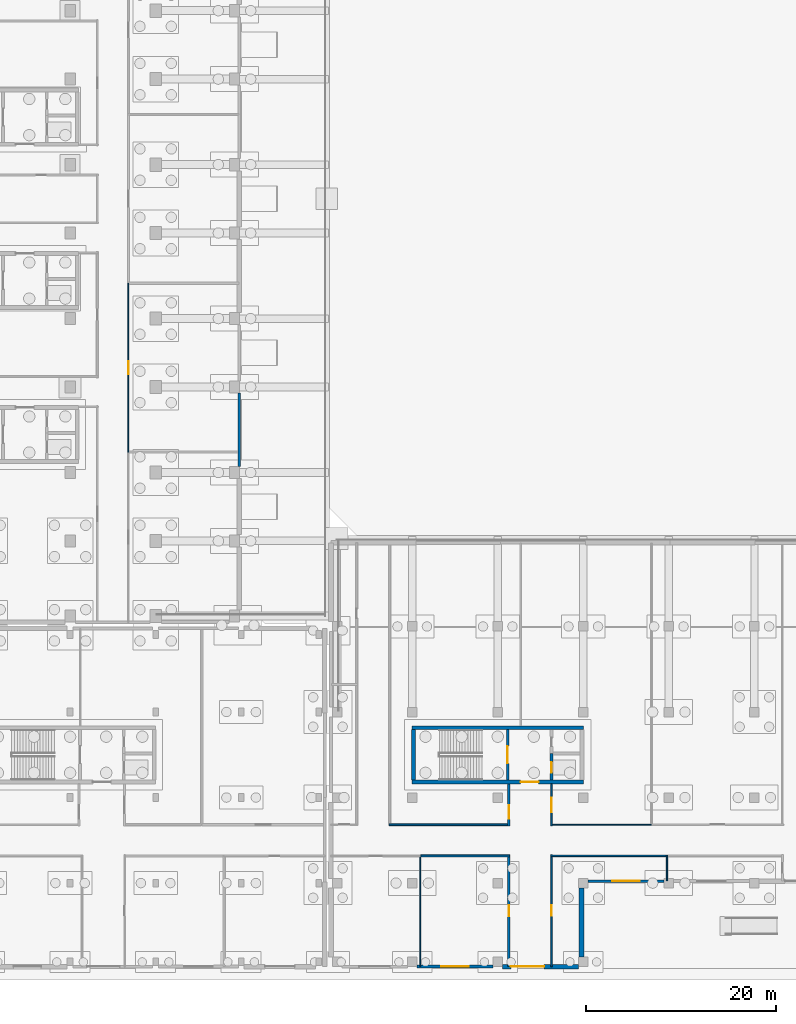
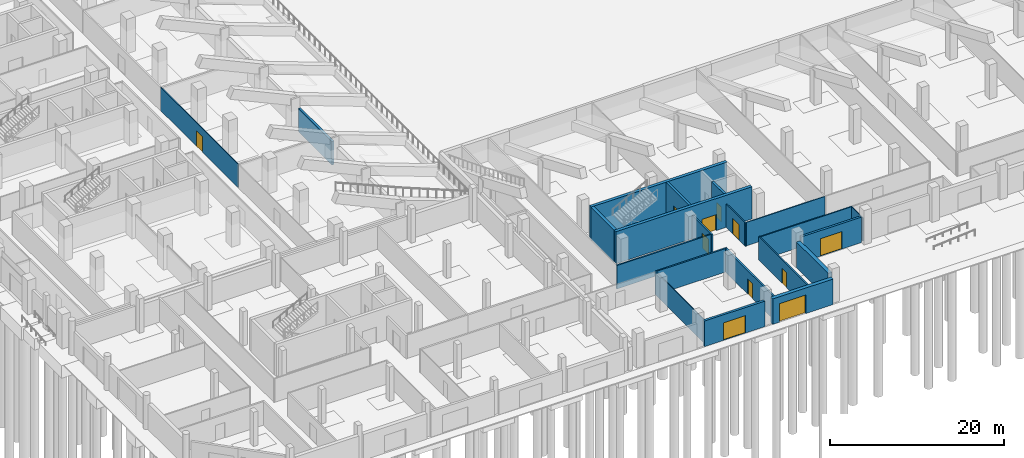
# One storey, part 16 of 53: 21 walls, 11 doors, 11 openings.
"""IFC4 building model written with IfcOpenShell, lengths in metres."""

from ifc_helpers import new_model, si_unit, direction, frame, frame_2d, origin, place, context, subcontext, project, spatial, rectangle, extrude, material, layer, layer_set, type_object, element, fill, save


model = new_model("IFC4")

# Units and contexts
model_context = context("Model", 3, precision=1e-05, world=origin(), true_north=direction((0.0, 1.0)))
body_context = subcontext(model_context, "Body", "Model", "MODEL_VIEW")
ifc_project = project(units=[si_unit("LENGTHUNIT", "METRE"), si_unit("AREAUNIT", "SQUARE_METRE"), si_unit("VOLUMEUNIT", "CUBIC_METRE"), si_unit("PLANEANGLEUNIT", "RADIAN"), si_unit("MASSUNIT", "GRAM", prefix="KILO"), si_unit("THERMODYNAMICTEMPERATUREUNIT", "KELVIN"), si_unit("POWERUNIT", "WATT")], contexts=[model_context])

# Site, building, storey
site_placement = place(None, origin())
site = spatial("IfcSite", under=ifc_project, at=site_placement, CompositionType="ELEMENT")
building_placement = place(site_placement, origin())
building = spatial("IfcBuilding", under=site, at=building_placement, Name="Sindhuravela Promenade Stadium", CompositionType="ELEMENT")
storey_placement = place(building_placement, origin())
storey = spatial("IfcBuildingStorey", under=building, at=storey_placement, Name="L00", CompositionType="ELEMENT", Elevation=0.0)

# Wall
ifc_material_1 = material(Name="Dholpur sandstone ashlar (45 MPa)", Category="masonry")
ifc_layer_1 = layer(ifc_material_1, 0.2900390625)
ifc_layer_set_1 = layer_set([ifc_layer_1], Name="Dholpur sandstone ashlar (45 MPa)")
wall_type_1 = type_object("IfcWallType", Name="EX-WL-SND290", PredefinedType="SOLIDWALL", material=ifc_layer_set_1)
wall_1_placement = place(storey_placement, frame((44.800048828125, 60.544921875, 0.0), z_axis=(0.0, 0.0, 1.0), x_axis=(0.0, -1.0, 0.0)))
element("IfcWall", 1, at=wall_1_placement, inside=storey, type_object=wall_type_1, Name="Exterior masonry wall EW10 WEST L00", PredefinedType="SOLIDWALL", context=body_context, shape_type="SweptSolid", body=[
    extrude(rectangle(XDim=7.68994140625, YDim=0.2900390625, at=frame_2d((3.844970703125, 0.0))), origin(), (0.0, 0.0, 1.0), 3.280029296875),
])

# Wall, opening, door
wall_2_placement = place(storey_placement, frame((89.4951171875, 9.199951171875, 0.0), z_axis=(0.0, 0.0, 1.0), x_axis=(-1.0, 0.0, 0.0)))
wall_2 = element("IfcWall", 2, at=wall_2_placement, inside=storey, type_object=wall_type_1, Name="Exterior masonry wall EW10 SOUTH L00", PredefinedType="SOLIDWALL", context=body_context, shape_type="SweptSolid", body=[
    extrude(rectangle(XDim=7.990234375, YDim=0.2900390625, at=frame_2d((3.9951171875, 0.0))), origin(), (0.0, 0.0, 1.0), 3.580078125),
])
opening_1_placement = place(wall_2_placement, frame((2.544921875, 0.0, 0.0)))
opening_1 = element("IfcOpeningElement", 3, at=opening_1_placement, cuts=wall_2, Name="Opening G08", PredefinedType="OPENING", context=body_context, shape_type="SweptSolid", body=[
    extrude(rectangle(XDim=2.89990234375, YDim=2.449951171875, at=frame_2d((1.449951171875, 1.22509765625))), frame((0.0, 0.155029296875, 0.0), z_axis=(0.0, -1.0, 0.0), x_axis=(1.0, 0.0, 0.0)), (0.0, 0.0, 1.0), 0.31005859375),
])
ifc_material_2 = material(Name="Anodised architectural aluminium 6063-T6", Category="aluminium")
door_type_1 = type_object("IfcDoorType", Name="DR-EXIT-2900x2450", OperationType="DOUBLE_DOOR_SINGLE_SWING", PredefinedType="DOOR", material=ifc_material_2)
door_1_placement = place(opening_1_placement, origin())
door_1 = element("IfcDoor", 4, at=door_1_placement, inside=storey, type_object=door_type_1, Name="Gate exit door G08", OperationType="DOUBLE_DOOR_SINGLE_SWING", OverallHeight=2.449951171875, OverallWidth=2.89990234375, PredefinedType="DOOR", context=body_context, shape_type="SweptSolid", body=[
    extrude(rectangle(XDim=2.89990234375, YDim=2.449951171875, at=frame_2d((1.449951171875, 1.22509765625))), frame((0.0, 0.02490234375, 0.0), z_axis=(0.0, -1.0, 0.0), x_axis=(1.0, 0.0, 0.0)), (0.0, 0.0, 1.0), 0.050048828125),
])
fill(opening_1, door_1)

ifc_layer_2 = layer(ifc_material_1, 0.31005859375)
ifc_layer_set_2 = layer_set([ifc_layer_2], Name="Dholpur sandstone ashlar (45 MPa)")
wall_type_2 = type_object("IfcWallType", Name="EX-WL-SND310", PredefinedType="SOLIDWALL", material=ifc_layer_set_2)
wall_3_placement = place(storey_placement, frame((71.4951171875, 0.199951171875, 0.0), z_axis=(0.0, 0.0, 1.0), x_axis=(-1.0, 0.0, 0.0)))
wall_3 = element("IfcWall", 5, at=wall_3_placement, inside=storey, type_object=wall_type_2, Name="Exterior masonry wall EW09 SOUTH L00", PredefinedType="SOLIDWALL", context=body_context, shape_type="SweptSolid", body=[
    extrude(rectangle(XDim=7.990234375, YDim=0.31005859375, at=frame_2d((3.9951171875, 0.0))), origin(), (0.0, 0.0, 1.0), 3.580078125),
])
opening_2_placement = place(wall_3_placement, frame((2.544921875, 0.0, 0.0)))
opening_2 = element("IfcOpeningElement", 6, at=opening_2_placement, cuts=wall_3, Name="Opening G12", PredefinedType="OPENING", context=body_context, shape_type="SweptSolid", body=[
    extrude(rectangle(XDim=2.89990234375, YDim=2.449951171875, at=frame_2d((1.449951171875, 1.22509765625))), frame((0.0, 0.1650390625, 0.0), z_axis=(0.0, -1.0, 0.0), x_axis=(1.0, 0.0, 0.0)), (0.0, 0.0, 1.0), 0.330078125),
])
door_2_placement = place(opening_2_placement, origin())
door_2 = element("IfcDoor", 7, at=door_2_placement, inside=storey, type_object=door_type_1, Name="Gate exit door G12", OperationType="DOUBLE_DOOR_SINGLE_SWING", OverallHeight=2.449951171875, OverallWidth=2.89990234375, PredefinedType="DOOR", context=body_context, shape_type="SweptSolid", body=[
    extrude(rectangle(XDim=2.89990234375, YDim=2.449951171875, at=frame_2d((1.449951171875, 1.22509765625))), frame((0.0, 0.02490234375, 0.0), z_axis=(0.0, -1.0, 0.0), x_axis=(1.0, 0.0, 0.0)), (0.0, 0.0, 1.0), 0.050048828125),
])
fill(opening_2, door_2)

ifc_layer_3 = layer(ifc_material_1, 0.47998046875)
ifc_layer_set_3 = layer_set([ifc_layer_3], Name="Dholpur sandstone ashlar (45 MPa)")
wall_type_3 = type_object("IfcWallType", Name="EX-WL-SND480", PredefinedType="SOLIDWALL", material=ifc_layer_set_3)
wall_4_placement = place(storey_placement, frame((80.4951171875, 0.199951171875, 0.0), z_axis=(0.0, 0.0, 1.0), x_axis=(-1.0, 0.0, 0.0)))
wall_4 = element("IfcWall", 8, at=wall_4_placement, inside=storey, type_object=wall_type_3, Name="Exterior masonry wall EW08 SOUTH L00", PredefinedType="SOLIDWALL", context=body_context, shape_type="SweptSolid", body=[
    extrude(rectangle(XDim=7.990234375, YDim=0.47998046875, at=frame_2d((3.9951171875, 0.0))), origin(), (0.0, 0.0, 1.0), 3.580078125),
])
opening_3_placement = place(wall_4_placement, frame((3.60498046875, 0.0, 0.0)))
opening_3 = element("IfcOpeningElement", 9, at=opening_3_placement, cuts=wall_4, Name="Opening E06", PredefinedType="OPENING", context=body_context, shape_type="SweptSolid", body=[
    extrude(rectangle(XDim=3.5, YDim=2.60009765625, at=frame_2d((1.75, 1.300048828125))), frame((0.0, 0.25, 0.0), z_axis=(0.0, -1.0, 0.0), x_axis=(1.0, 0.0, 0.0)), (0.0, 0.0, 1.0), 0.5),
])
door_type_2 = type_object("IfcDoorType", Name="DR-EXIT-3500x2600", OperationType="DOUBLE_DOOR_SINGLE_SWING", PredefinedType="DOOR", material=ifc_material_2)
door_3_placement = place(opening_3_placement, origin())
door_3 = element("IfcDoor", 10, at=door_3_placement, inside=storey, type_object=door_type_2, Name="Final exit door E06", OperationType="DOUBLE_DOOR_SINGLE_SWING", OverallHeight=2.60009765625, OverallWidth=3.5, PredefinedType="DOOR", context=body_context, shape_type="SweptSolid", body=[
    extrude(rectangle(XDim=3.5, YDim=2.60009765625, at=frame_2d((1.75, 1.300048828125))), frame((0.0, 0.02490234375, 0.0), z_axis=(0.0, -1.0, 0.0), x_axis=(1.0, 0.0, 0.0)), (0.0, 0.0, 1.0), 0.050048828125),
])
fill(opening_3, door_3)

# Wall
ifc_layer_4 = layer(ifc_material_1, 0.5)
ifc_layer_set_4 = layer_set([ifc_layer_4], Name="Dholpur sandstone ashlar (45 MPa)")
wall_type_4 = type_object("IfcWallType", Name="EX-WL-SND500", PredefinedType="SOLIDWALL", material=ifc_layer_set_4)
wall_5_placement = place(storey_placement, frame((80.800048828125, 8.4951171875, 0.0), z_axis=(0.0, 0.0, 1.0), x_axis=(0.0, -1.0, 0.0)))
element("IfcWall", 11, at=wall_5_placement, inside=storey, type_object=wall_type_4, Name="Exterior masonry wall EW07 SOUTH L00", PredefinedType="SOLIDWALL", context=body_context, shape_type="SweptSolid", body=[
    extrude(rectangle(XDim=7.2900390625, YDim=0.5, at=frame_2d((3.64501953125, 0.0))), origin(), (0.0, 0.0, 1.0), 3.580078125),
])

# Wall, opening, door
ifc_material_3 = material(Name="Fire-rated gypsum partition board", Category="gypsum")
ifc_layer_5 = layer(ifc_material_3, 0.110107421875)
ifc_layer_set_5 = layer_set([ifc_layer_5], Name="Fire-rated gypsum partition board")
wall_type_5 = type_object("IfcWallType", Name="IN-WL-PAR110", PredefinedType="PARTITIONING", material=ifc_layer_set_5)
wall_6_placement = place(storey_placement, frame((33.139892578125, 72.114013671875, 0.0), z_axis=(0.0, 0.0, 1.0), x_axis=(0.0, -1.0, 0.0)))
wall_6 = element("IfcWall", 12, at=wall_6_placement, inside=storey, type_object=wall_type_5, Name="Corridor partition IW06 Indoor Player Warm-Up Hall", PredefinedType="PARTITIONING", context=body_context, shape_type="SweptSolid", body=[
    extrude(rectangle(XDim=17.77197265625, YDim=0.110107421875, at=frame_2d((8.885986328125, 0.0))), origin(), (0.0, 0.0, 1.0), 3.280029296875),
])
opening_4_placement = place(wall_6_placement, frame((8.18603515625, 0.0, 0.0)))
opening_4 = element("IfcOpeningElement", 13, at=opening_4_placement, cuts=wall_6, Name="Opening ID03", PredefinedType="OPENING", context=body_context, shape_type="SweptSolid", body=[
    extrude(rectangle(XDim=1.39990234375, YDim=2.14990234375, at=frame_2d((0.699951171875, 1.074951171875))), frame((0.0, 0.06494140625, 0.0), z_axis=(0.0, -1.0, 0.0), x_axis=(1.0, 0.0, 0.0)), (0.0, 0.0, 1.0), 0.130126953125),
])
ifc_material_4 = material(Name="Architectural teak timber leaf", Category="wood")
door_type_3 = type_object("IfcDoorType", Name="DR-INT-1400x2150", OperationType="DOUBLE_DOOR_SINGLE_SWING", PredefinedType="DOOR", material=ifc_material_4)
door_4_placement = place(opening_4_placement, origin())
door_4 = element("IfcDoor", 14, at=door_4_placement, inside=storey, type_object=door_type_3, Name="Indoor Player Warm-Up Hall door", OperationType="DOUBLE_DOOR_SINGLE_SWING", OverallHeight=2.14990234375, OverallWidth=1.39990234375, PredefinedType="DOOR", context=body_context, shape_type="SweptSolid", body=[
    extrude(rectangle(XDim=1.39990234375, YDim=2.14990234375, at=frame_2d((0.699951171875, 1.074951171875))), frame((0.0, 0.02490234375, 0.0), z_axis=(0.0, -1.0, 0.0), x_axis=(1.0, 0.0, 0.0)), (0.0, 0.0, 1.0), 0.050048828125),
])
fill(opening_4, door_4)

# Walls
wall_7_placement = place(storey_placement, frame((88.146728515625, 15.139892578125, 0.0), z_axis=(0.0, 0.0, 1.0), x_axis=(-1.0, 0.0, 0.0)))
element("IfcWall", 15, at=wall_7_placement, inside=storey, type_object=wall_type_5, Name="Interior partition IW06 SOUTH L00", PredefinedType="PARTITIONING", context=body_context, shape_type="SweptSolid", body=[
    extrude(rectangle(XDim=10.586669921875, YDim=0.110107421875, at=frame_2d((5.29345703125, 0.0))), origin(), (0.0, 0.0, 1.0), 3.280029296875),
])
wall_8_placement = place(storey_placement, frame((63.864990234375, 11.93994140625, 0.0), z_axis=(0.0, 0.0, 1.0), x_axis=(0.0, -1.0, 0.0)))
element("IfcWall", 16, at=wall_8_placement, inside=storey, type_object=wall_type_5, Name="Interior partition IW06 SOUTH L00", PredefinedType="PARTITIONING", context=body_context, shape_type="SweptSolid", body=[
    extrude(rectangle(XDim=11.699951171875, YDim=0.110107421875, at=frame_2d((5.85009765625, 0.0))), origin(), (0.0, 0.0, 1.0), 3.280029296875),
])
ifc_layer_6 = layer(ifc_material_3, 0.1298828125)
ifc_layer_set_6 = layer_set([ifc_layer_6], Name="Fire-rated gypsum partition board")
wall_type_6 = type_object("IfcWallType", Name="IN-WL-PAR130", PredefinedType="PARTITIONING", material=ifc_layer_set_6)
wall_9_placement = place(storey_placement, frame((89.800048828125, 11.93994140625, 0.0), z_axis=(0.0, 0.0, 1.0), x_axis=(0.0, -1.0, 0.0)))
element("IfcWall", 17, at=wall_9_placement, inside=storey, type_object=wall_type_6, Name="Interior partition IW05 SOUTH L00", PredefinedType="PARTITIONING", context=body_context, shape_type="SweptSolid", body=[
    extrude(rectangle(XDim=2.699951171875, YDim=0.1298828125, at=frame_2d((1.35009765625, 0.0))), origin(), (0.0, 0.0, 1.0), 3.280029296875),
])

# Wall, opening, door
ifc_layer_7 = layer(ifc_material_3, 0.14990234375)
ifc_layer_set_7 = layer_set([ifc_layer_7], Name="Fire-rated gypsum partition board")
wall_type_7 = type_object("IfcWallType", Name="IN-WL-PAR150", PredefinedType="PARTITIONING", material=ifc_layer_set_7)
wall_10_placement = place(storey_placement, frame((77.639892578125, 19.447998046875, 0.0), z_axis=(0.0, 0.0, 1.0), x_axis=(0.0, -1.0, 0.0)))
wall_10 = element("IfcWall", 18, at=wall_10_placement, inside=storey, type_object=wall_type_7, Name="Corridor partition IW04 Concourse Food Kiosk South L00", PredefinedType="PARTITIONING", context=body_context, shape_type="SweptSolid", body=[
    extrude(rectangle(XDim=4.427978515625, YDim=0.14990234375, at=frame_2d((2.2138671875, 0.0))), origin(), (0.0, 0.0, 1.0), 3.280029296875),
])
opening_5_placement = place(wall_10_placement, frame((1.452880859375, 0.0, 0.0)))
opening_5 = element("IfcOpeningElement", 19, at=opening_5_placement, cuts=wall_10, Name="Opening ID02", PredefinedType="OPENING", context=body_context, shape_type="SweptSolid", body=[
    extrude(rectangle(XDim=1.550048828125, YDim=2.199951171875, at=frame_2d((0.77490234375, 1.10009765625))), frame((0.0, 0.0849609375, 0.0), z_axis=(0.0, -1.0, 0.0), x_axis=(1.0, 0.0, 0.0)), (0.0, 0.0, 1.0), 0.169921875),
])
door_type_4 = type_object("IfcDoorType", Name="DR-INT-1550x2200", OperationType="DOUBLE_DOOR_SINGLE_SWING", PredefinedType="DOOR", material=ifc_material_4)
door_5_placement = place(opening_5_placement, origin())
door_5 = element("IfcDoor", 20, at=door_5_placement, inside=storey, type_object=door_type_4, Name="Concourse Food Kiosk South L00 door", OperationType="DOUBLE_DOOR_SINGLE_SWING", OverallHeight=2.199951171875, OverallWidth=1.550048828125, PredefinedType="DOOR", context=body_context, shape_type="SweptSolid", body=[
    extrude(rectangle(XDim=1.550048828125, YDim=2.199951171875, at=frame_2d((0.77490234375, 1.10009765625))), frame((0.0, 0.02490234375, 0.0), z_axis=(0.0, -1.0, 0.0), x_axis=(1.0, 0.0, 0.0)), (0.0, 0.0, 1.0), 0.050048828125),
])
fill(opening_5, door_5)

# Wall
wall_11_placement = place(storey_placement, frame((77.56005859375, 11.860107421875, 0.0), z_axis=(0.0, 0.0, 1.0), x_axis=(1.0, 0.0, 0.0)))
element("IfcWall", 21, at=wall_11_placement, inside=storey, type_object=wall_type_7, Name="Interior partition IW04 SOUTH L00", PredefinedType="PARTITIONING", context=body_context, shape_type="SweptSolid", body=[
    extrude(rectangle(XDim=12.199951171875, YDim=0.14990234375, at=frame_2d((6.10009765625, 0.0))), origin(), (0.0, 0.0, 1.0), 3.280029296875),
])

# Wall, opening, door
ifc_layer_8 = layer(ifc_material_3, 0.175048828125)
ifc_layer_set_8 = layer_set([ifc_layer_8], Name="Fire-rated gypsum partition board")
wall_type_8 = type_object("IfcWallType", Name="IN-WL-PAR175", PredefinedType="PARTITIONING", material=ifc_layer_set_8)
wall_12_placement = place(storey_placement, frame((77.639892578125, 11.97998046875, 0.0), z_axis=(0.0, 0.0, 1.0), x_axis=(0.0, -1.0, 0.0)))
wall_12 = element("IfcWall", 22, at=wall_12_placement, inside=storey, type_object=wall_type_8, Name="Corridor partition IW03 Concourse Food Kiosk South L00 6", PredefinedType="PARTITIONING", context=body_context, shape_type="SweptSolid", body=[
    extrude(rectangle(XDim=11.780029296875, YDim=0.175048828125, at=frame_2d((5.89013671875, 0.0))), origin(), (0.0, 0.0, 1.0), 3.280029296875),
])
opening_6_placement = place(wall_12_placement, frame((5.340087890625, 0.0, 0.0)))
opening_6 = element("IfcOpeningElement", 23, at=opening_6_placement, cuts=wall_12, Name="Opening ID06", PredefinedType="OPENING", context=body_context, shape_type="SweptSolid", body=[
    extrude(rectangle(XDim=1.10009765625, YDim=2.10009765625, at=frame_2d((0.550048828125, 1.050048828125))), frame((0.0, 0.097412109375, 0.0), z_axis=(0.0, -1.0, 0.0), x_axis=(1.0, 0.0, 0.0)), (0.0, 0.0, 1.0), 0.195068359375),
])
door_type_5 = type_object("IfcDoorType", Name="DR-INT-1100x2100", OperationType="NOTDEFINED", PredefinedType="DOOR", material=ifc_material_4)
door_6_placement = place(opening_6_placement, origin())
door_6 = element("IfcDoor", 24, at=door_6_placement, inside=storey, type_object=door_type_5, Name="Concourse Food Kiosk South L00 6 door", OperationType="SINGLE_SWING_LEFT", OverallHeight=2.10009765625, OverallWidth=1.10009765625, PredefinedType="DOOR", context=body_context, shape_type="SweptSolid", body=[
    extrude(rectangle(XDim=1.10009765625, YDim=2.10009765625, at=frame_2d((0.550048828125, 1.050048828125))), frame((0.0, 0.02490234375, 0.0), z_axis=(0.0, -1.0, 0.0), x_axis=(1.0, 0.0, 0.0)), (0.0, 0.0, 1.0), 0.050048828125),
])
fill(opening_6, door_6)

# Walls
ifc_layer_9 = layer(ifc_material_3, 0.195068359375)
ifc_layer_set_9 = layer_set([ifc_layer_9], Name="Fire-rated gypsum partition board")
wall_type_9 = type_object("IfcWallType", Name="IN-WL-PAR195", PredefinedType="PARTITIONING", material=ifc_layer_set_9)
wall_13_placement = place(storey_placement, frame((73.239990234375, 15.139892578125, 0.0), z_axis=(0.0, 0.0, 1.0), x_axis=(-1.0, 0.0, 0.0)))
element("IfcWall", 25, at=wall_13_placement, inside=storey, type_object=wall_type_9, Name="Interior partition IW02 SOUTH L00", PredefinedType="PARTITIONING", context=body_context, shape_type="SweptSolid", body=[
    extrude(rectangle(XDim=12.679931640625, YDim=0.195068359375, at=frame_2d((6.33984375, 0.0))), origin(), (0.0, 0.0, 1.0), 3.280029296875),
])
wall_14_placement = place(storey_placement, frame((63.905029296875, 11.860107421875, 0.0), z_axis=(0.0, 0.0, 1.0), x_axis=(1.0, 0.0, 0.0)))
element("IfcWall", 26, at=wall_14_placement, inside=storey, type_object=wall_type_9, Name="Interior partition IW02 SOUTH L00", PredefinedType="PARTITIONING", context=body_context, shape_type="SweptSolid", body=[
    extrude(rectangle(XDim=9.3349609375, YDim=0.195068359375, at=frame_2d((4.66748046875, 0.0))), origin(), (0.0, 0.0, 1.0), 3.280029296875),
])

# Wall, opening, door
ifc_layer_10 = layer(ifc_material_3, 0.219970703125)
ifc_layer_set_10 = layer_set([ifc_layer_10], Name="Fire-rated gypsum partition board")
wall_type_10 = type_object("IfcWallType", Name="IN-WL-PAR220", PredefinedType="PARTITIONING", material=ifc_layer_set_10)
wall_15_placement = place(storey_placement, frame((73.159912109375, 15.02001953125, 0.0), z_axis=(0.0, 0.0, 1.0), x_axis=(0.0, 1.0, 0.0)))
wall_15 = element("IfcWall", 27, at=wall_15_placement, inside=storey, type_object=wall_type_10, Name="Corridor partition IW01 Accessible WC South L00", PredefinedType="PARTITIONING", context=body_context, shape_type="SweptSolid", body=[
    extrude(rectangle(XDim=4.427978515625, YDim=0.219970703125, at=frame_2d((2.2138671875, 0.0))), origin(), (0.0, 0.0, 1.0), 3.280029296875),
])
opening_7_placement = place(wall_15_placement, frame((0.751220703125, 0.0, 0.0)))
opening_7 = element("IfcOpeningElement", 28, at=opening_7_placement, cuts=wall_15, Name="Opening ID03", PredefinedType="OPENING", context=body_context, shape_type="SweptSolid", body=[
    extrude(rectangle(XDim=1.39990234375, YDim=2.14990234375, at=frame_2d((0.699951171875, 1.074951171875))), frame((0.0, 0.119873046875, 0.0), z_axis=(0.0, -1.0, 0.0), x_axis=(1.0, 0.0, 0.0)), (0.0, 0.0, 1.0), 0.239990234375),
])
door_7_placement = place(opening_7_placement, origin())
door_7 = element("IfcDoor", 29, at=door_7_placement, inside=storey, type_object=door_type_3, Name="Accessible WC South L00 door", OperationType="DOUBLE_DOOR_SINGLE_SWING", OverallHeight=2.14990234375, OverallWidth=1.39990234375, PredefinedType="DOOR", context=body_context, shape_type="SweptSolid", body=[
    extrude(rectangle(XDim=1.39990234375, YDim=2.14990234375, at=frame_2d((0.699951171875, 1.074951171875))), frame((0.0, 0.02490234375, 0.0), z_axis=(0.0, -1.0, 0.0), x_axis=(1.0, 0.0, 0.0)), (0.0, 0.0, 1.0), 0.050048828125),
])
fill(opening_7, door_7)

wall_16_placement = place(storey_placement, frame((73.159912109375, 0.199951171875, 0.0), z_axis=(0.0, 0.0, 1.0), x_axis=(0.0, 1.0, 0.0)))
wall_16 = element("IfcWall", 30, at=wall_16_placement, inside=storey, type_object=wall_type_10, Name="Corridor partition IW01 Event Steward Briefing Room 5", PredefinedType="PARTITIONING", context=body_context, shape_type="SweptSolid", body=[
    extrude(rectangle(XDim=11.780029296875, YDim=0.219970703125, at=frame_2d((5.89013671875, 0.0))), origin(), (0.0, 0.0, 1.0), 3.280029296875),
])
opening_8_placement = place(wall_16_placement, frame((5.31494140625, 0.0, 0.0)))
opening_8 = element("IfcOpeningElement", 31, at=opening_8_placement, cuts=wall_16, Name="Opening ID05", PredefinedType="OPENING", context=body_context, shape_type="SweptSolid", body=[
    extrude(rectangle(XDim=1.14990234375, YDim=2.14990234375, at=frame_2d((0.574951171875, 1.074951171875))), frame((0.0, 0.119873046875, 0.0), z_axis=(0.0, -1.0, 0.0), x_axis=(1.0, 0.0, 0.0)), (0.0, 0.0, 1.0), 0.239990234375),
])
door_type_6 = type_object("IfcDoorType", Name="DR-INT-1150x2150", OperationType="NOTDEFINED", PredefinedType="DOOR", material=ifc_material_4)
door_8_placement = place(opening_8_placement, origin())
door_8 = element("IfcDoor", 32, at=door_8_placement, inside=storey, type_object=door_type_6, Name="Event Steward Briefing Room 5 door", OperationType="SINGLE_SWING_RIGHT", OverallHeight=2.14990234375, OverallWidth=1.14990234375, PredefinedType="DOOR", context=body_context, shape_type="SweptSolid", body=[
    extrude(rectangle(XDim=1.14990234375, YDim=2.14990234375, at=frame_2d((0.574951171875, 1.074951171875))), frame((0.0, 0.02490234375, 0.0), z_axis=(0.0, -1.0, 0.0), x_axis=(1.0, 0.0, 0.0)), (0.0, 0.0, 1.0), 0.050048828125),
])
fill(opening_8, door_8)

ifc_material_5 = material(Name="Concrete M50", Category="concrete")
ifc_layer_11 = layer(ifc_material_5, 0.300048828125)
ifc_layer_set_11 = layer_set([ifc_layer_11], Name="Concrete M50")
wall_type_11 = type_object("IfcWallType", Name="RC-SW-300", PredefinedType="SHEAR", material=ifc_layer_set_11)
wall_17_placement = place(storey_placement, frame((73.050048828125, 19.85009765625, 0.0), z_axis=(0.0, 0.0, 1.0), x_axis=(0.0, 1.0, 0.0)))
wall_17 = element("IfcWall", 33, at=wall_17_placement, inside=storey, type_object=wall_type_11, Name="Core shear wall C11-ST (L00)", PredefinedType="SHEAR", context=body_context, shape_type="SweptSolid", body=[
    extrude(rectangle(XDim=5.2998046875, YDim=0.300048828125, at=frame_2d((2.64990234375, 0.0))), origin(), (0.0, 0.0, 1.0), 4.5),
])
opening_9_placement = place(wall_17_placement, frame((1.75, 0.0, 0.0)))
opening_9 = element("IfcOpeningElement", 34, at=opening_9_placement, cuts=wall_17, Name="Opening FD01", PredefinedType="OPENING", context=body_context, shape_type="SweptSolid", body=[
    extrude(rectangle(XDim=1.800048828125, YDim=2.25, at=frame_2d((0.89990234375, 1.125))), frame((0.0, 0.159912109375, 0.0), z_axis=(0.0, -1.0, 0.0), x_axis=(1.0, 0.0, 0.0)), (0.0, 0.0, 1.0), 0.320068359375),
])
ifc_material_6 = material(Name="Architectural wrought steel E350", Category="steel")
door_type_7 = type_object("IfcDoorType", Name="DR-CORE-1800x2250", OperationType="DOUBLE_DOOR_SINGLE_SWING", PredefinedType="DOOR", material=ifc_material_6)
door_9_placement = place(opening_9_placement, origin())
door_9 = element("IfcDoor", 35, at=door_9_placement, inside=storey, type_object=door_type_7, Name="Stair ST11 lobby fire door (L00)", OperationType="DOUBLE_DOOR_SINGLE_SWING", OverallHeight=2.25, OverallWidth=1.800048828125, PredefinedType="DOOR", context=body_context, shape_type="SweptSolid", body=[
    extrude(rectangle(XDim=1.800048828125, YDim=2.25, at=frame_2d((0.89990234375, 1.125))), frame((0.0, 0.02490234375, 0.0), z_axis=(0.0, -1.0, 0.0), x_axis=(1.0, 0.0, 0.0)), (0.0, 0.0, 1.0), 0.050048828125),
])
fill(opening_9, door_9)

wall_18_placement = place(storey_placement, frame((77.64990234375, 19.85009765625, 0.0), z_axis=(0.0, 0.0, 1.0), x_axis=(0.0, 1.0, 0.0)))
wall_18 = element("IfcWall", 36, at=wall_18_placement, inside=storey, type_object=wall_type_11, Name="Core shear wall C11-LFT (L00)", PredefinedType="SHEAR", context=body_context, shape_type="SweptSolid", body=[
    extrude(rectangle(XDim=2.7998046875, YDim=0.300048828125, at=frame_2d((1.39990234375, 0.0))), origin(), (0.0, 0.0, 1.0), 4.5),
])
opening_10_placement = place(wall_18_placement, frame((0.77490234375, 0.0, 0.0)))
opening_10 = element("IfcOpeningElement", 37, at=opening_10_placement, cuts=wall_18, Name="Opening LD", PredefinedType="OPENING", context=body_context, shape_type="SweptSolid", body=[
    extrude(rectangle(XDim=1.10009765625, YDim=2.10009765625, at=frame_2d((0.550048828125, 1.050048828125))), frame((0.0, 0.159912109375, 0.0), z_axis=(0.0, -1.0, 0.0), x_axis=(1.0, 0.0, 0.0)), (0.0, 0.0, 1.0), 0.320068359375),
])
door_type_8 = type_object("IfcDoorType", Name="DR-LFT-1100x2100", OperationType="DOUBLE_DOOR_SLIDING", PredefinedType="DOOR", material=ifc_material_6)
door_10_placement = place(opening_10_placement, origin())
door_10 = element("IfcDoor", 38, at=door_10_placement, inside=storey, type_object=door_type_8, Name="Lift PL04 landing door (L00)", OperationType="DOUBLE_DOOR_SLIDING", OverallHeight=2.10009765625, OverallWidth=1.10009765625, PredefinedType="DOOR", context=body_context, shape_type="SweptSolid", body=[
    extrude(rectangle(XDim=1.10009765625, YDim=2.10009765625, at=frame_2d((0.550048828125, 1.050048828125))), frame((0.0, 0.02490234375, 0.0), z_axis=(0.0, -1.0, 0.0), x_axis=(1.0, 0.0, 0.0)), (0.0, 0.0, 1.0), 0.050048828125),
])
fill(opening_10, door_10)

ifc_layer_12 = layer(ifc_material_5, 0.39990234375)
ifc_layer_set_12 = layer_set([ifc_layer_12], Name="Concrete M50")
wall_type_12 = type_object("IfcWallType", Name="RC-SW-400", PredefinedType="SHEAR", material=ifc_layer_set_12)
wall_19_placement = place(storey_placement, frame((63.0, 19.64990234375, 0.0), z_axis=(0.0, 0.0, 1.0), x_axis=(1.0, 0.0, 0.0)))
wall_19 = element("IfcWall", 39, at=wall_19_placement, inside=storey, type_object=wall_type_12, Name="Core shear wall C11-S (L00)", PredefinedType="SHEAR", context=body_context, shape_type="SweptSolid", body=[
    extrude(rectangle(XDim=18.0, YDim=0.39990234375, at=frame_2d((9.0, 0.0))), origin(), (0.0, 0.0, 1.0), 4.5),
])
opening_11_placement = place(wall_19_placement, frame((11.39990234375, 0.0, 0.0)))
opening_11 = element("IfcOpeningElement", 40, at=opening_11_placement, cuts=wall_19, Name="Opening FD02", PredefinedType="OPENING", context=body_context, shape_type="SweptSolid", body=[
    extrude(rectangle(XDim=1.89990234375, YDim=2.25, at=frame_2d((0.949951171875, 1.125))), frame((0.0, 0.2099609375, 0.0), z_axis=(0.0, -1.0, 0.0), x_axis=(1.0, 0.0, 0.0)), (0.0, 0.0, 1.0), 0.419921875),
])
door_type_9 = type_object("IfcDoorType", Name="DR-LOB-1900x2250", OperationType="DOUBLE_DOOR_SINGLE_SWING", PredefinedType="DOOR", material=ifc_material_6)
door_11_placement = place(opening_11_placement, origin())
door_11 = element("IfcDoor", 41, at=door_11_placement, inside=storey, type_object=door_type_9, Name="Protected lobby entrance door C11 (L00)", OperationType="DOUBLE_DOOR_SINGLE_SWING", OverallHeight=2.25, OverallWidth=1.89990234375, PredefinedType="DOOR", context=body_context, shape_type="SweptSolid", body=[
    extrude(rectangle(XDim=1.89990234375, YDim=2.25, at=frame_2d((0.949951171875, 1.125))), frame((0.0, 0.02490234375, 0.0), z_axis=(0.0, -1.0, 0.0), x_axis=(1.0, 0.0, 0.0)), (0.0, 0.0, 1.0), 0.050048828125),
])
fill(opening_11, door_11)

# Walls
wall_20_placement = place(storey_placement, frame((81.0, 25.35009765625, 0.0), z_axis=(0.0, 0.0, 1.0), x_axis=(-1.0, 0.0, 0.0)))
element("IfcWall", 42, at=wall_20_placement, inside=storey, type_object=wall_type_12, Name="Core shear wall C11-N (L00)", PredefinedType="SHEAR", context=body_context, shape_type="SweptSolid", body=[
    extrude(rectangle(XDim=18.0, YDim=0.39990234375, at=frame_2d((9.0, 0.0))), origin(), (0.0, 0.0, 1.0), 4.5),
])
wall_21_placement = place(storey_placement, frame((63.14990234375, 25.14990234375, 0.0), z_axis=(0.0, 0.0, 1.0), x_axis=(0.0, -1.0, 0.0)))
element("IfcWall", 43, at=wall_21_placement, inside=storey, type_object=wall_type_12, Name="Core shear wall C11-W (L00)", PredefinedType="SHEAR", context=body_context, shape_type="SweptSolid", body=[
    extrude(rectangle(XDim=5.2998046875, YDim=0.39990234375, at=frame_2d((2.64990234375, 0.0))), origin(), (0.0, 0.0, 1.0), 4.5),
])

save(model, "model.ifc")
